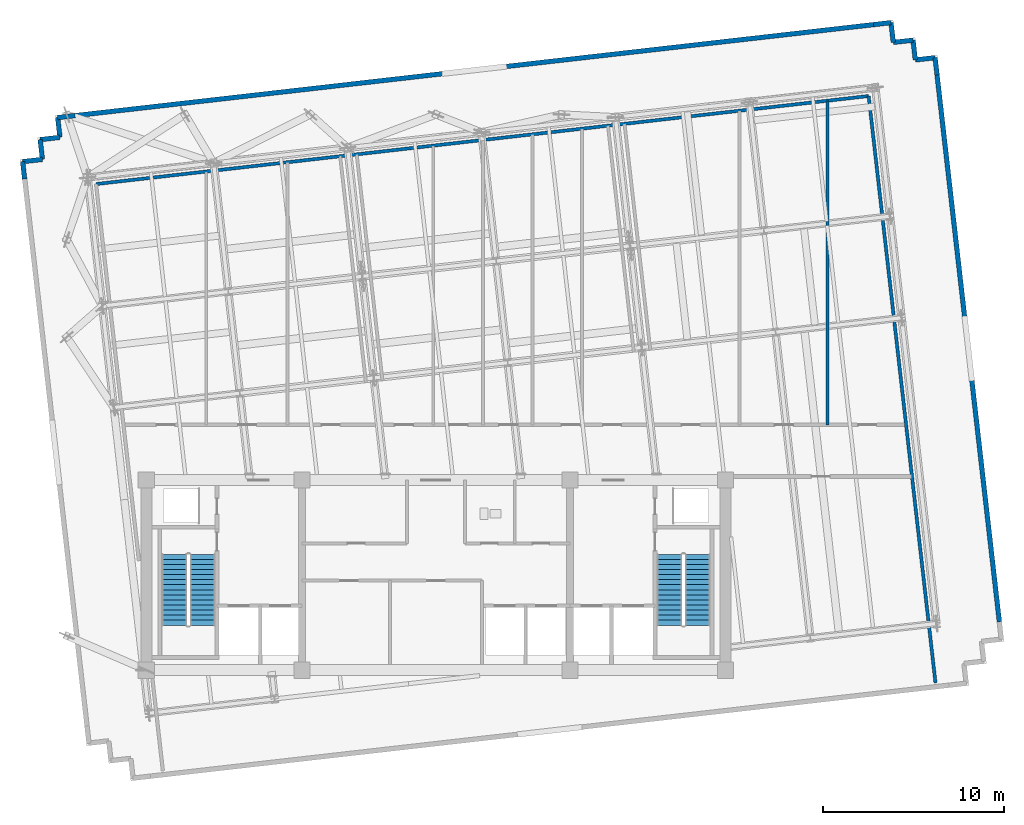
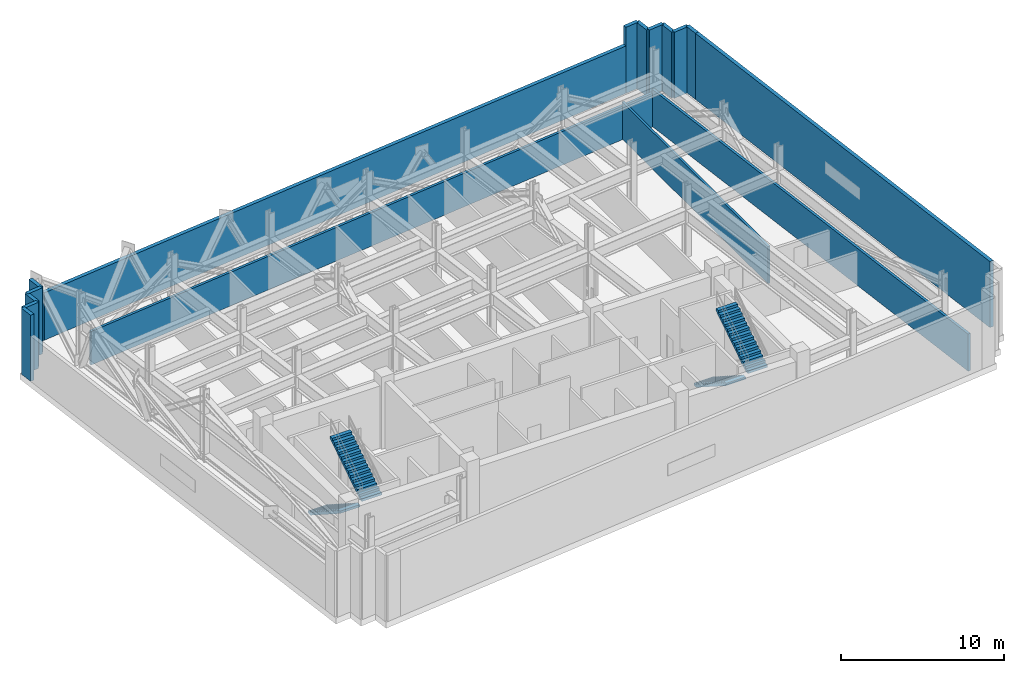
# One storey, part 7 of 10: 17 walls, 4 stair flights, 2 elements without a shape of their own.
"""IFC4 building model written with IfcOpenShell, lengths in metres."""

from ifc_helpers import new_model, si_unit, direction, frame, frame_2d, origin, place, context, subcontext, project, spatial, polyline, rectangle, outline, extrude, material, layer, layer_set, type_object, element, aggregate, save


model = new_model("IFC4")

# Units and contexts
model_context = context("Model", 3, precision=1e-05, world=origin(), true_north=direction((0.0, 1.0)))
body_context = subcontext(model_context, "Body", "Model", "MODEL_VIEW")
ifc_project = project(units=[si_unit("LENGTHUNIT", "METRE"), si_unit("AREAUNIT", "SQUARE_METRE"), si_unit("VOLUMEUNIT", "CUBIC_METRE"), si_unit("PLANEANGLEUNIT", "RADIAN"), si_unit("MASSUNIT", "GRAM", prefix="KILO")], contexts=[model_context])

# Site, building, storey
site_placement = place(None, origin())
site = spatial("IfcSite", under=ifc_project, at=site_placement, CompositionType="ELEMENT")
building_placement = place(site_placement, origin())
building = spatial("IfcBuilding", under=site, at=building_placement, Name="Solmavex Isthmus Hotel", CompositionType="ELEMENT")
storey_placement = place(building_placement, frame((0.0, 0.0, 240.0)))
storey = spatial("IfcBuildingStorey", under=building, at=storey_placement, Name="L65", CompositionType="ELEMENT", Elevation=240.0)

# Walls
ifc_material_1 = material(Name="Precast Concrete C40/50", Category="concrete")
ifc_layer_1 = layer(ifc_material_1, 0.260009765625)
ifc_layer_set_1 = layer_set([ifc_layer_1], Name="Precast Concrete C40/50")
wall_type_1 = type_object("IfcWallType", Name="EW-CRN-260", PredefinedType="STANDARD", material=ifc_layer_set_1)
wall_1_placement = place(storey_placement, frame((-22.7275390625, 14.13037109375, 0.0), z_axis=(0.0, 0.0, 1.0), x_axis=(-0.113276807846, 0.99356346793, 0.0)))
element("IfcWall", 1, at=wall_1_placement, inside=storey, type_object=wall_type_1, Name="Plant Acoustic Louvre Enclosure Wall L65-08", PredefinedType="STANDARD", context=body_context, shape_type="SweptSolid", body=[
    extrude(rectangle(XDim=0.969970703125, YDim=0.260009765625, at=frame_2d((0.48486328125, 0.0))), origin(), (0.0, 0.0, 1.0), 4.949951171875),
])
for number, where, z_axis, x_axis, name in (
    (2, (-22.83740234375, 15.093994140625, 0.0), (0.0, 0.0, 1.0), (0.99357409499, 0.113183557839, 0.0), "Plant Acoustic Louvre Enclosure Wall L65-09"),
    (3, (-21.744384765625, 15.218505859375, 0.0), (0.0, 0.0, 1.0), (-0.113183557839, 0.99357409499, 0.0), "Plant Acoustic Louvre Enclosure Wall L65-10"),
):
    element("IfcWall", number, at=place(storey_placement, frame(where, z_axis=z_axis, x_axis=x_axis)), inside=storey, type_object=wall_type_1, Name=name, PredefinedType="STANDARD", context=body_context, shape_type="SweptSolid", body=[
        extrude(rectangle(XDim=1.10009765625, YDim=0.260009765625, at=frame_2d((0.550048828125, 0.0))), origin(), (0.0, 0.0, 1.0), 4.949951171875),
    ])
wall_2_placement = place(storey_placement, frame((-21.868896484375, 16.3115234375, 0.0), z_axis=(0.0, 0.0, 1.0), x_axis=(0.99357125103, 0.11320852056, 0.0)))
element("IfcWall", 4, at=wall_2_placement, inside=storey, type_object=wall_type_1, Name="Plant Acoustic Louvre Enclosure Wall L65-11", PredefinedType="STANDARD", context=body_context, shape_type="SweptSolid", body=[
    extrude(rectangle(XDim=1.099853515625, YDim=0.260009765625, at=frame_2d((0.5498046875, 0.0))), origin(), (0.0, 0.0, 1.0), 4.949951171875),
])
wall_3_placement = place(storey_placement, frame((-20.776123046875, 16.43603515625, 0.0), z_axis=(0.0, 0.0, 1.0), x_axis=(-0.113183557839, 0.99357409499, 0.0)))
element("IfcWall", 5, at=wall_3_placement, inside=storey, type_object=wall_type_1, Name="Plant Acoustic Louvre Enclosure Wall L65-12", PredefinedType="STANDARD", context=body_context, shape_type="SweptSolid", body=[
    extrude(rectangle(XDim=1.10009765625, YDim=0.260009765625, at=frame_2d((0.550048828125, 0.0))), origin(), (0.0, 0.0, 1.0), 4.949951171875),
])
wall_4_placement = place(storey_placement, frame((-20.900634765625, 17.529052734375, 0.0), z_axis=(0.0, 0.0, 1.0), x_axis=(0.993566696777, 0.113248483675, 0.0)))
element("IfcWall", 6, at=wall_4_placement, inside=storey, type_object=wall_type_1, Name="Plant Acoustic Louvre Enclosure Wall L65-13", PredefinedType="STANDARD", context=body_context, shape_type="SweptSolid", body=[
    extrude(rectangle(XDim=0.97021484375, YDim=0.260009765625, at=frame_2d((0.485107421875, 0.0))), origin(), (0.0, 0.0, 1.0), 3.554931640625),
])
wall_5_placement = place(storey_placement, frame((-19.936767578125, 17.638916015625, 0.0), z_axis=(0.0, 0.0, 1.0), x_axis=(0.993572082572, 0.113201222316, 0.0)))
element("IfcWall", 7, at=wall_5_placement, inside=storey, type_object=wall_type_1, Name="Plant Acoustic Louvre Enclosure Wall L65-14", PredefinedType="STANDARD", context=body_context, shape_type="SweptSolid", body=[
    extrude(rectangle(XDim=44.39990234375, YDim=0.260009765625, at=frame_2d((22.199951171875, 0.0))), origin(), (0.0, 0.0, 1.0), 3.554931640625),
])
wall_6_placement = place(storey_placement, frame((24.177734375, 22.6650390625, 0.0), z_axis=(0.0, 0.0, 1.0), x_axis=(0.993566696777, 0.113248483675, 0.0)))
element("IfcWall", 8, at=wall_6_placement, inside=storey, type_object=wall_type_1, Name="Plant Acoustic Louvre Enclosure Wall L65-15", PredefinedType="STANDARD", context=body_context, shape_type="SweptSolid", body=[
    extrude(rectangle(XDim=0.97021484375, YDim=0.260009765625, at=frame_2d((0.485107421875, 0.0))), origin(), (0.0, 0.0, 1.0), 4.949951171875),
])
wall_7_placement = place(storey_placement, frame((25.1416015625, 22.77490234375, 0.0), z_axis=(0.0, 0.0, 1.0), x_axis=(0.113183557839, -0.99357409499, 0.0)))
element("IfcWall", 9, at=wall_7_placement, inside=storey, type_object=wall_type_1, Name="Plant Acoustic Louvre Enclosure Wall L65-16", PredefinedType="STANDARD", context=body_context, shape_type="SweptSolid", body=[
    extrude(rectangle(XDim=1.10009765625, YDim=0.260009765625, at=frame_2d((0.550048828125, 0.0))), origin(), (0.0, 0.0, 1.0), 4.949951171875),
])
wall_8_placement = place(storey_placement, frame((25.26611328125, 21.681884765625, 0.0), z_axis=(0.0, 0.0, 1.0), x_axis=(0.99357125103, 0.11320852056, 0.0)))
element("IfcWall", 10, at=wall_8_placement, inside=storey, type_object=wall_type_1, Name="Plant Acoustic Louvre Enclosure Wall L65-17", PredefinedType="STANDARD", context=body_context, shape_type="SweptSolid", body=[
    extrude(rectangle(XDim=1.099853515625, YDim=0.260009765625, at=frame_2d((0.5498046875, 0.0))), origin(), (0.0, 0.0, 1.0), 4.949951171875),
])
for number, where, z_axis, x_axis, name in (
    (11, (26.35888671875, 21.806396484375, 0.0), (0.0, 0.0, 1.0), (0.113183557839, -0.99357409499, 0.0), "Plant Acoustic Louvre Enclosure Wall L65-18"),
    (12, (26.4833984375, 20.71337890625, 0.0), (0.0, 0.0, 1.0), (0.993549114212, 0.113402635104, 0.0), "Plant Acoustic Louvre Enclosure Wall L65-19"),
):
    element("IfcWall", number, at=place(storey_placement, frame(where, z_axis=z_axis, x_axis=x_axis)), inside=storey, type_object=wall_type_1, Name=name, PredefinedType="STANDARD", context=body_context, shape_type="SweptSolid", body=[
        extrude(rectangle(XDim=1.10009765625, YDim=0.260009765625, at=frame_2d((0.550048828125, 0.0))), origin(), (0.0, 0.0, 1.0), 4.949951171875),
    ])
wall_9_placement = place(storey_placement, frame((27.576416015625, 20.838134765625, 0.0), z_axis=(0.0, 0.0, 1.0), x_axis=(0.113248483675, -0.993566696777, 0.0)))
element("IfcWall", 13, at=wall_9_placement, inside=storey, type_object=wall_type_1, Name="Plant Acoustic Louvre Enclosure Wall L65-20", PredefinedType="STANDARD", context=body_context, shape_type="SweptSolid", body=[
    extrude(rectangle(XDim=0.97021484375, YDim=0.260009765625, at=frame_2d((0.485107421875, 0.0))), origin(), (0.0, 0.0, 1.0), 4.949951171875),
])
wall_10_placement = place(storey_placement, frame((27.686279296875, 19.874267578125, 0.0), z_axis=(0.0, 0.0, 1.0), x_axis=(0.11320412083, -0.99357175233, 0.0)))
element("IfcWall", 14, at=wall_10_placement, inside=storey, type_object=wall_type_1, Name="Plant Acoustic Louvre Enclosure Wall L65-21", PredefinedType="STANDARD", context=body_context, shape_type="SweptSolid", body=[
    extrude(rectangle(XDim=30.39990234375, YDim=0.260009765625, at=frame_2d((15.199951171875, 0.0))), origin(), (0.0, 0.0, 1.0), 4.949951171875),
])
ifc_material_2 = material(Name="Gypsum plasterboard lining", Category="gypsum")
ifc_layer_2 = layer(ifc_material_2, 0.159912109375)
ifc_layer_set_2 = layer_set([ifc_layer_2], Name="Gypsum plasterboard lining")
wall_type_2 = type_object("IfcWallType", Name="IW-COMP-160", PredefinedType="PARTITIONING", material=ifc_layer_set_2)
wall_11_placement = place(storey_placement, frame((21.6298828125, 0.550048828125, 0.0), z_axis=(0.0, 0.0, 1.0), x_axis=(0.0, 1.0, 0.0)))
element("IfcWall", 15, at=wall_11_placement, inside=storey, type_object=wall_type_2, Name="Interior Partition Wall W-L65-PX10", PredefinedType="PARTITIONING", context=body_context, shape_type="SweptSolid", body=[
    extrude(rectangle(XDim=17.889404296875, YDim=0.159912109375, at=frame_2d((8.94482421875, 0.0))), origin(), (0.0, 0.0, 1.0), 2.78173828125),
])
ifc_material_3 = material(Name="Concrete C40/50", Category="concrete")
ifc_layer_3 = layer(ifc_material_3, 0.179931640625)
ifc_layer_set_3 = layer_set([ifc_layer_3], Name="Concrete C40/50")
wall_type_3 = type_object("IfcWallType", Name="IW-SHAFT-180", PredefinedType="PARTITIONING", material=ifc_layer_set_3)
wall_12_placement = place(storey_placement, frame((-18.781005859375, 13.855224609375, 0.0), z_axis=(0.0, 0.0, 1.0), x_axis=(0.993571666605, 0.113204873215, 0.0)))
element("IfcWall", 16, at=wall_12_placement, inside=storey, type_object=wall_type_3, Name="Interior Partition Wall W-L65-BTN", PredefinedType="PARTITIONING", context=body_context, shape_type="SweptSolid", body=[
    extrude(rectangle(XDim=42.9599609375, YDim=0.179931640625, at=frame_2d((21.47998046875, 0.0))), origin(), (0.0, 0.0, 1.0), 2.518798828125),
])
wall_13_placement = place(storey_placement, frame((27.5966796875, -13.70166015625, 0.0), z_axis=(0.0, 0.0, 1.0), x_axis=(-0.113204312593, 0.993571730481, 0.0)))
element("IfcWall", 17, at=wall_13_placement, inside=storey, type_object=wall_type_3, Name="Interior Partition Wall W-L65-BTE", PredefinedType="PARTITIONING", context=body_context, shape_type="SweptSolid", body=[
    extrude(rectangle(XDim=32.6298828125, YDim=0.179931640625, at=frame_2d((16.31494140625, 0.0))), origin(), (0.0, 0.0, 1.0), 2.78173828125),
])

# Stair, stair flights
stair_type_1 = type_object("IfcStairType", Name="STR-ST-1", PredefinedType="HALF_TURN_STAIR", material=ifc_material_3)
stair_1_placement = place(storey_placement, origin())
stair_1 = element("IfcStair", 18, at=stair_1_placement, inside=storey, type_object=stair_type_1, Name="L65 Protected Exit Stair ST-1", PredefinedType="HALF_TURN_STAIR")
stair_flight_type_1 = type_object("IfcStairFlightType", Name="SFL-ST-1", PredefinedType="STRAIGHT", material=ifc_material_3)
stair_flight_1_placement = place(storey_placement, frame((-14.449951171875, -6.60009765625, 0.0), z_axis=(0.0, 0.0, 1.0), x_axis=(0.0, -1.0, 0.0)))
stair_flight_1 = element("IfcStairFlight", 19, at=stair_flight_1_placement, type_object=stair_flight_type_1, Name="ST-1 flight 1", NumberOfRisers=15, NumberOfTreads=14, PredefinedType="STRAIGHT", RiserHeight=0.18, TreadLength=0.28, context=body_context, shape_type="SweptSolid", body=[
    extrude(outline(polyline([(0.0, 0.0), (0.0, 0.179931640625), (0.280029296875, 0.179931640625), (0.280029296875, 0.360107421875), (0.56005859375, 0.360107421875), (0.56005859375, 0.5400390625), (0.840087890625, 0.5400390625), (0.840087890625, 0.719970703125), (1.1201171875, 0.719970703125), (1.1201171875, 0.89990234375), (1.39990234375, 0.89990234375), (1.39990234375, 1.080078125), (1.679931640625, 1.080078125), (1.679931640625, 1.260009765625), (1.9599609375, 1.260009765625), (1.9599609375, 1.43994140625), (2.239990234375, 1.43994140625), (2.239990234375, 1.6201171875), (2.52001953125, 1.6201171875), (2.52001953125, 1.800048828125), (2.800048828125, 1.800048828125), (2.800048828125, 1.97998046875), (3.080078125, 1.97998046875), (3.080078125, 2.159912109375), (3.360107421875, 2.159912109375), (3.360107421875, 2.340087890625), (3.639892578125, 2.340087890625), (3.639892578125, 2.52001953125), (3.919921875, 2.52001953125), (3.919921875, 2.699951171875), (3.919921875, 2.341796875), (0.277099609375, 0.0), (0.0, 0.0)])), frame((0.0, 0.699951171875, 0.0), z_axis=(0.0, -1.0, 0.0), x_axis=(1.0, 0.0, 0.0)), (0.0, 0.0, 1.0), 1.39990234375),
])
stair_flight_2_placement = place(storey_placement, frame((-12.89990234375, -10.52001953125, 2.699951171875), z_axis=(0.0, 0.0, 1.0), x_axis=(0.0, 1.0, 0.0)))
stair_flight_2 = element("IfcStairFlight", 20, at=stair_flight_2_placement, type_object=stair_flight_type_1, Name="ST-1 flight 2", NumberOfRisers=15, NumberOfTreads=14, PredefinedType="STRAIGHT", RiserHeight=0.18, TreadLength=0.28, context=body_context, shape_type="SweptSolid", body=[
    extrude(outline(polyline([(0.0, 0.0), (0.0, 0.179931640625), (0.280029296875, 0.179931640625), (0.280029296875, 0.360107421875), (0.56005859375, 0.360107421875), (0.56005859375, 0.5400390625), (0.840087890625, 0.5400390625), (0.840087890625, 0.719970703125), (1.1201171875, 0.719970703125), (1.1201171875, 0.89990234375), (1.39990234375, 0.89990234375), (1.39990234375, 1.080078125), (1.679931640625, 1.080078125), (1.679931640625, 1.260009765625), (1.9599609375, 1.260009765625), (1.9599609375, 1.43994140625), (2.239990234375, 1.43994140625), (2.239990234375, 1.6201171875), (2.52001953125, 1.6201171875), (2.52001953125, 1.800048828125), (2.800048828125, 1.800048828125), (2.800048828125, 1.97998046875), (3.080078125, 1.97998046875), (3.080078125, 2.159912109375), (3.360107421875, 2.159912109375), (3.360107421875, 2.340087890625), (3.639892578125, 2.340087890625), (3.639892578125, 2.52001953125), (3.919921875, 2.52001953125), (3.919921875, 2.699951171875), (3.919921875, 2.341796875), (0.277099609375, 0.0), (0.0, 0.0)])), frame((0.0, 0.699951171875, 0.0), z_axis=(0.0, -1.0, 0.0), x_axis=(1.0, 0.0, 0.0)), (0.0, 0.0, 1.0), 1.39990234375),
])
aggregate(stair_1, [stair_flight_1, stair_flight_2])

stair_type_2 = type_object("IfcStairType", Name="STR-ST-2", PredefinedType="HALF_TURN_STAIR", material=ifc_material_3)
stair_2_placement = place(storey_placement, origin())
stair_2 = element("IfcStair", 21, at=stair_2_placement, inside=storey, type_object=stair_type_2, Name="L65 Protected Exit Stair ST-2", PredefinedType="HALF_TURN_STAIR")
stair_flight_type_2 = type_object("IfcStairFlightType", Name="SFL-ST-2", PredefinedType="STRAIGHT", material=ifc_material_3)
stair_flight_3_placement = place(storey_placement, frame((12.89990234375, -6.60009765625, 0.0), z_axis=(0.0, 0.0, 1.0), x_axis=(0.0, -1.0, 0.0)))
stair_flight_3 = element("IfcStairFlight", 22, at=stair_flight_3_placement, type_object=stair_flight_type_2, Name="ST-2 flight 1", NumberOfRisers=15, NumberOfTreads=14, PredefinedType="STRAIGHT", RiserHeight=0.18, TreadLength=0.28, context=body_context, shape_type="SweptSolid", body=[
    extrude(outline(polyline([(0.0, 0.0), (0.0, 0.179931640625), (0.280029296875, 0.179931640625), (0.280029296875, 0.360107421875), (0.56005859375, 0.360107421875), (0.56005859375, 0.5400390625), (0.840087890625, 0.5400390625), (0.840087890625, 0.719970703125), (1.1201171875, 0.719970703125), (1.1201171875, 0.89990234375), (1.39990234375, 0.89990234375), (1.39990234375, 1.080078125), (1.679931640625, 1.080078125), (1.679931640625, 1.260009765625), (1.9599609375, 1.260009765625), (1.9599609375, 1.43994140625), (2.239990234375, 1.43994140625), (2.239990234375, 1.6201171875), (2.52001953125, 1.6201171875), (2.52001953125, 1.800048828125), (2.800048828125, 1.800048828125), (2.800048828125, 1.97998046875), (3.080078125, 1.97998046875), (3.080078125, 2.159912109375), (3.360107421875, 2.159912109375), (3.360107421875, 2.340087890625), (3.639892578125, 2.340087890625), (3.639892578125, 2.52001953125), (3.919921875, 2.52001953125), (3.919921875, 2.699951171875), (3.919921875, 2.341796875), (0.277099609375, 0.0), (0.0, 0.0)])), frame((0.0, 0.699951171875, 0.0), z_axis=(0.0, -1.0, 0.0), x_axis=(1.0, 0.0, 0.0)), (0.0, 0.0, 1.0), 1.39990234375),
])
stair_flight_4_placement = place(storey_placement, frame((14.449951171875, -10.52001953125, 2.699951171875), z_axis=(0.0, 0.0, 1.0), x_axis=(0.0, 1.0, 0.0)))
stair_flight_4 = element("IfcStairFlight", 23, at=stair_flight_4_placement, type_object=stair_flight_type_2, Name="ST-2 flight 2", NumberOfRisers=15, NumberOfTreads=14, PredefinedType="STRAIGHT", RiserHeight=0.18, TreadLength=0.28, context=body_context, shape_type="SweptSolid", body=[
    extrude(outline(polyline([(0.0, 0.0), (0.0, 0.179931640625), (0.280029296875, 0.179931640625), (0.280029296875, 0.360107421875), (0.56005859375, 0.360107421875), (0.56005859375, 0.5400390625), (0.840087890625, 0.5400390625), (0.840087890625, 0.719970703125), (1.1201171875, 0.719970703125), (1.1201171875, 0.89990234375), (1.39990234375, 0.89990234375), (1.39990234375, 1.080078125), (1.679931640625, 1.080078125), (1.679931640625, 1.260009765625), (1.9599609375, 1.260009765625), (1.9599609375, 1.43994140625), (2.239990234375, 1.43994140625), (2.239990234375, 1.6201171875), (2.52001953125, 1.6201171875), (2.52001953125, 1.800048828125), (2.800048828125, 1.800048828125), (2.800048828125, 1.97998046875), (3.080078125, 1.97998046875), (3.080078125, 2.159912109375), (3.360107421875, 2.159912109375), (3.360107421875, 2.340087890625), (3.639892578125, 2.340087890625), (3.639892578125, 2.52001953125), (3.919921875, 2.52001953125), (3.919921875, 2.699951171875), (3.919921875, 2.341796875), (0.277099609375, 0.0), (0.0, 0.0)])), frame((0.0, 0.699951171875, 0.0), z_axis=(0.0, -1.0, 0.0), x_axis=(1.0, 0.0, 0.0)), (0.0, 0.0, 1.0), 1.39990234375),
])
aggregate(stair_2, [stair_flight_3, stair_flight_4])

save(model, "model.ifc")
